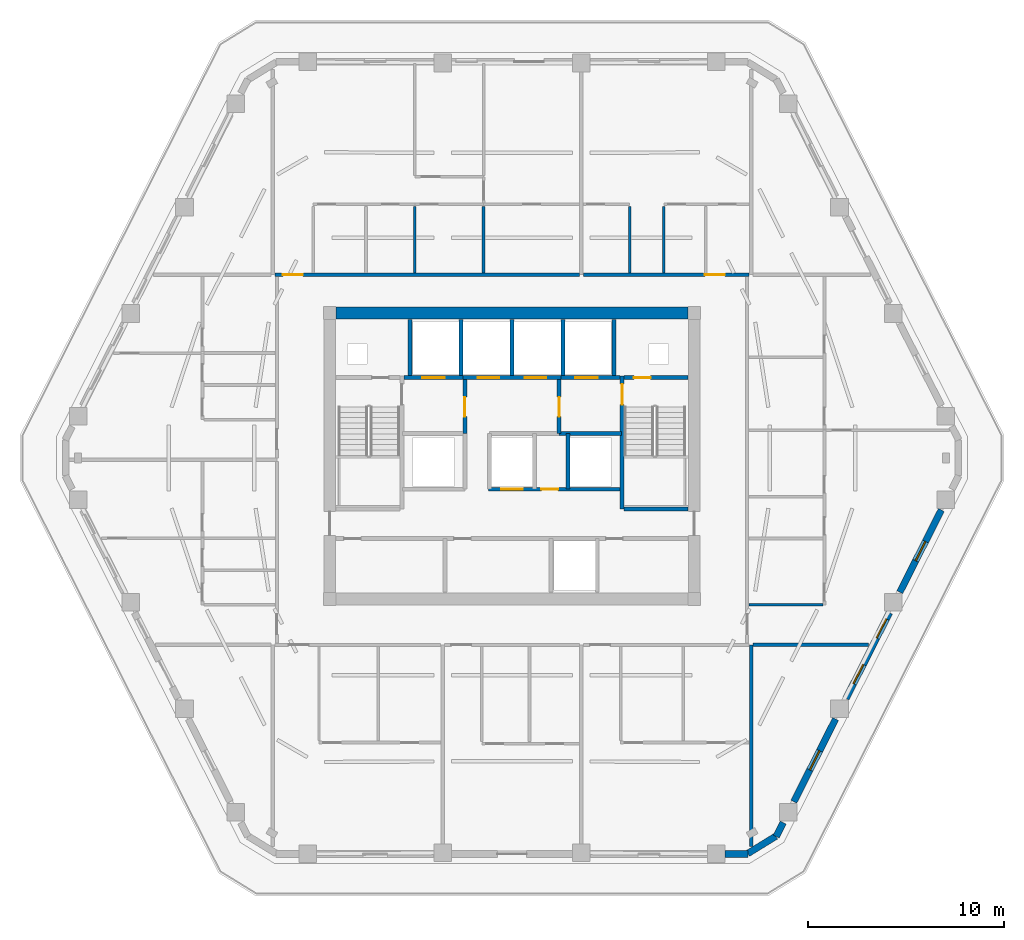
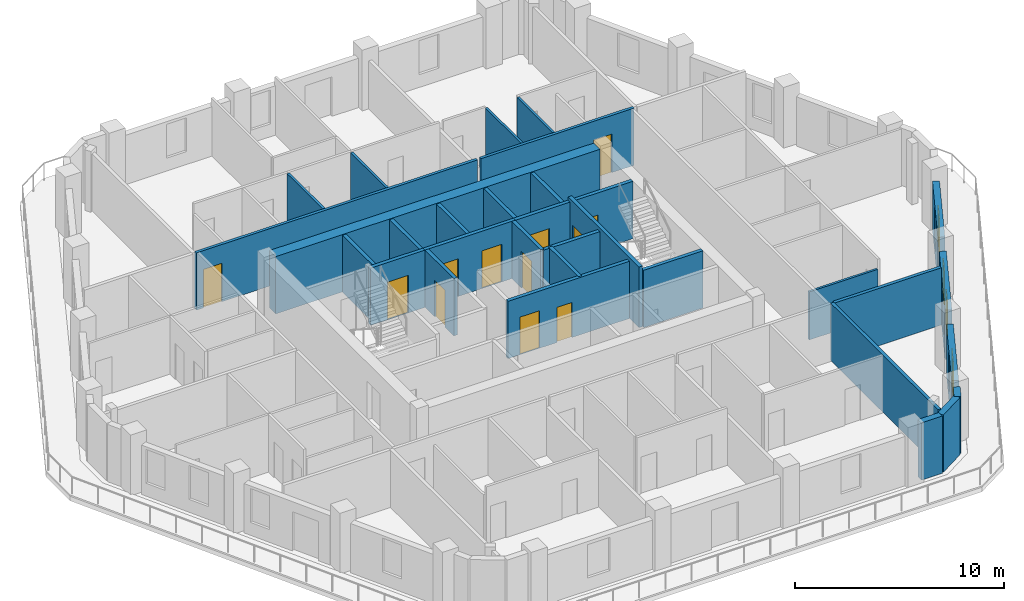
# One storey, part 5 of 10: 32 walls, 12 doors, 4 windows, 16 openings.
"""IFC4 building model written with IfcOpenShell, lengths in metres."""

from ifc_helpers import new_model, si_unit, direction, frame, frame_2d, origin, place, context, subcontext, project, spatial, rectangle, extrude, material, layer, layer_set, type_object, element, fill, save


model = new_model("IFC4")

# Units and contexts
model_context = context("Model", 3, precision=1e-05, world=origin(), true_north=direction((0.0, 1.0)))
body_context = subcontext(model_context, "Body", "Model", "MODEL_VIEW")
ifc_project = project(units=[si_unit("LENGTHUNIT", "METRE"), si_unit("AREAUNIT", "SQUARE_METRE"), si_unit("VOLUMEUNIT", "CUBIC_METRE"), si_unit("PLANEANGLEUNIT", "RADIAN"), si_unit("MASSUNIT", "GRAM", prefix="KILO")], contexts=[model_context])

# Site, building, storey
site_placement = place(None, origin())
site = spatial("IfcSite", under=ifc_project, at=site_placement, CompositionType="ELEMENT")
building_placement = place(site_placement, origin())
building = spatial("IfcBuilding", under=site, at=building_placement, Name="Cinnabar Lancet Tower", CompositionType="ELEMENT")
storey_placement = place(building_placement, frame((0.0, 0.0, 171.89990234375)))
storey = spatial("IfcBuildingStorey", under=building, at=storey_placement, Name="L45", CompositionType="ELEMENT", Elevation=171.89990234375)

# Wall, opening, door
ifc_material_1 = material(Name="Acoustic twin-stud gypsum partition", Category="gypsum")
ifc_layer_1 = layer(ifc_material_1, 0.159912109375)
ifc_layer_set_1 = layer_set([ifc_layer_1], Name="Acoustic twin-stud gypsum partition")
wall_type_1 = type_object("IfcWallType", Name="ARC-WL-CORR-160", PredefinedType="PARTITIONING", material=ifc_layer_set_1)
wall_1_placement = place(storey_placement, frame((20.294921875, 35.14990234375, 0.0), z_axis=(0.0, 0.0, 1.0), x_axis=(1.0, 0.0, 0.0)))
wall_1 = element("IfcWall", 1, at=wall_1_placement, inside=storey, type_object=wall_type_1, Name="L45 Unit N01 Corridor Wall", PredefinedType="PARTITIONING", context=body_context, shape_type="SweptSolid", body=[
    extrude(rectangle(XDim=15.552978515625, YDim=0.159912109375, at=frame_2d((7.7763671875, 0.0))), origin(), (0.0, 0.0, 1.0), 3.35009765625),
])
opening_1_placement = place(wall_1_placement, frame((0.405029296875, 0.0, 0.0)))
opening_1 = element("IfcOpeningElement", 2, at=opening_1_placement, cuts=wall_1, Name="Opening UD-01", PredefinedType="OPENING", context=body_context, shape_type="SweptSolid", body=[
    extrude(rectangle(XDim=1.02001953125, YDim=2.25, at=frame_2d((0.510009765625, 1.125))), frame((0.0, 0.08984375, 0.0), z_axis=(0.0, -1.0, 0.0), x_axis=(1.0, 0.0, 0.0)), (0.0, 0.0, 1.0), 0.179931640625),
])
ifc_material_2 = material(Name="Solid timber fire-rated apartment entrance door", Category="wood")
door_type_1 = type_object("IfcDoorType", Name="ARC-DR-UNIT", OperationType="NOTDEFINED", PredefinedType="DOOR", material=ifc_material_2)
door_1_placement = place(opening_1_placement, origin())
door_1 = element("IfcDoor", 3, at=door_1_placement, inside=storey, type_object=door_type_1, Name="DR-L45-N01-ENT", OperationType="SINGLE_SWING_RIGHT", OverallHeight=2.25, OverallWidth=1.02001953125, PredefinedType="DOOR", context=body_context, shape_type="SweptSolid", body=[
    extrude(rectangle(XDim=1.02001953125, YDim=2.25, at=frame_2d((0.510009765625, 1.125))), frame((0.0, 0.02490234375, 0.0), z_axis=(0.0, -1.0, 0.0), x_axis=(1.0, 0.0, 0.0)), (0.0, 0.0, 1.0), 0.050048828125),
])
fill(opening_1, door_1)

wall_2_placement = place(storey_placement, frame((36.0380859375, 35.14990234375, 0.0), z_axis=(0.0, 0.0, 1.0), x_axis=(1.0, 0.0, 0.0)))
wall_2 = element("IfcWall", 4, at=wall_2_placement, inside=storey, type_object=wall_type_1, Name="L45 Unit N02 Corridor Wall", PredefinedType="PARTITIONING", context=body_context, shape_type="SweptSolid", body=[
    extrude(rectangle(XDim=8.466796875, YDim=0.159912109375, at=frame_2d((4.2333984375, 0.0))), origin(), (0.0, 0.0, 1.0), 3.35009765625),
])
opening_2_placement = place(wall_2_placement, frame((6.2119140625, 0.0, 0.0)))
opening_2 = element("IfcOpeningElement", 5, at=opening_2_placement, cuts=wall_2, Name="Opening UD-01", PredefinedType="OPENING", context=body_context, shape_type="SweptSolid", body=[
    extrude(rectangle(XDim=1.02001953125, YDim=2.25, at=frame_2d((0.510009765625, 1.125))), frame((0.0, 0.08984375, 0.0), z_axis=(0.0, -1.0, 0.0), x_axis=(1.0, 0.0, 0.0)), (0.0, 0.0, 1.0), 0.179931640625),
])
door_2_placement = place(opening_2_placement, origin())
door_2 = element("IfcDoor", 6, at=door_2_placement, inside=storey, type_object=door_type_1, Name="DR-L45-N02-ENT", OperationType="SINGLE_SWING_LEFT", OverallHeight=2.25, OverallWidth=1.02001953125, PredefinedType="DOOR", context=body_context, shape_type="SweptSolid", body=[
    extrude(rectangle(XDim=1.02001953125, YDim=2.25, at=frame_2d((0.510009765625, 1.125))), frame((0.0, 0.02490234375, 0.0), z_axis=(0.0, -1.0, 0.0), x_axis=(1.0, 0.0, 0.0)), (0.0, 0.0, 1.0), 0.050048828125),
])
fill(opening_2, door_2)

# Walls
ifc_material_3 = material(Name="Fire-rated twin-frame acoustic drywall", Category="gypsum")
ifc_layer_2 = layer(ifc_material_3, 0.179931640625)
ifc_layer_set_2 = layer_set([ifc_layer_2], Name="Fire-rated twin-frame acoustic drywall")
wall_type_2 = type_object("IfcWallType", Name="ARC-WL-PARTY-180", PredefinedType="PARTITIONING", material=ifc_layer_set_2)
wall_3_placement = place(storey_placement, frame((44.60009765625, 5.968017578125, 0.0), z_axis=(0.0, 0.0, 1.0), x_axis=(0.0, 1.0, 0.0)))
element("IfcWall", 7, at=wall_3_placement, inside=storey, type_object=wall_type_2, Name="PW-L45-SPTY-446", PredefinedType="PARTITIONING", context=body_context, shape_type="SweptSolid", body=[
    extrude(rectangle(XDim=10.281982421875, YDim=0.179931640625, at=frame_2d((5.14111328125, 0.0))), origin(), (0.0, 0.0, 1.0), 3.35009765625),
])
wall_4_placement = place(storey_placement, frame((44.695068359375, 16.25, 0.0), z_axis=(0.0, 0.0, 1.0), x_axis=(1.0, 0.0, 0.0)))
element("IfcWall", 8, at=wall_4_placement, inside=storey, type_object=wall_type_2, Name="PW-L45-ESB", PredefinedType="PARTITIONING", context=body_context, shape_type="SweptSolid", body=[
    extrude(rectangle(XDim=5.89404296875, YDim=0.179931640625, at=frame_2d((2.947021484375, 0.0))), origin(), (0.0, 0.0, 1.0), 3.35009765625),
])
ifc_material_4 = material(Name="Autoclaved aerated concrete blockwork", Category="masonry")
ifc_layer_3 = layer(ifc_material_4, 0.199951171875)
ifc_layer_set_3 = layer_set([ifc_layer_3], Name="Autoclaved aerated concrete blockwork")
wall_type_3 = type_object("IfcWallType", Name="ARC-WL-SHAFT-200", PredefinedType="PLUMBINGWALL", material=ifc_layer_set_3)
wall_5_placement = place(storey_placement, frame((38.125, 23.199951171875, 0.0), z_axis=(0.0, 0.0, 1.0), x_axis=(1.0, 0.0, 0.0)))
element("IfcWall", 9, at=wall_5_placement, inside=storey, type_object=wall_type_3, Name="CW-ST2S-L45", PredefinedType="PLUMBINGWALL", context=body_context, shape_type="SweptSolid", body=[
    extrude(rectangle(XDim=3.27001953125, YDim=0.199951171875, at=frame_2d((1.635009765625, 0.0))), origin(), (0.0, 0.0, 1.0), 3.35009765625),
])

# Wall, opening, door
wall_6_placement = place(storey_placement, frame((26.885009765625, 29.89990234375, 0.0), z_axis=(0.0, 0.0, 1.0), x_axis=(1.0, 0.0, 0.0)))
wall_6 = element("IfcWall", 10, at=wall_6_placement, inside=storey, type_object=wall_type_3, Name="CW-FL1-L45", PredefinedType="PLUMBINGWALL", context=body_context, shape_type="SweptSolid", body=[
    extrude(rectangle(XDim=3.014892578125, YDim=0.199951171875, at=frame_2d((1.50732421875, 0.0))), origin(), (0.0, 0.0, 1.0), 3.35009765625),
])
opening_3_placement = place(wall_6_placement, frame((0.93994140625, 0.0, 0.0)))
opening_3 = element("IfcOpeningElement", 11, at=opening_3_placement, cuts=wall_6, Name="Opening LD-02", PredefinedType="OPENING", context=body_context, shape_type="SweptSolid", body=[
    extrude(rectangle(XDim=1.14990234375, YDim=2.199951171875, at=frame_2d((0.574951171875, 1.10009765625))), frame((0.0, 0.10986328125, 0.0), z_axis=(0.0, -1.0, 0.0), x_axis=(1.0, 0.0, 0.0)), (0.0, 0.0, 1.0), 0.219970703125),
])
ifc_material_5 = material(Name="Fire-rated stainless steel firefighting lift landing door", Category="steel")
door_type_2 = type_object("IfcDoorType", Name="ARC-DR-LD-FIRE", OperationType="NOTDEFINED", PredefinedType="DOOR", material=ifc_material_5)
door_3_placement = place(opening_3_placement, origin())
door_3 = element("IfcDoor", 12, at=door_3_placement, inside=storey, type_object=door_type_2, Name="L45 Firefighting Lift FL-1 Landing Door", OperationType="DOUBLE_DOOR_SLIDING", OverallHeight=2.199951171875, OverallWidth=1.14990234375, PredefinedType="DOOR", context=body_context, shape_type="SweptSolid", body=[
    extrude(rectangle(XDim=1.14990234375, YDim=2.199951171875, at=frame_2d((0.574951171875, 1.10009765625))), frame((0.0, 0.02490234375, 0.0), z_axis=(0.0, -1.0, 0.0), x_axis=(1.0, 0.0, 0.0)), (0.0, 0.0, 1.0), 0.050048828125),
])
fill(opening_3, door_3)

# Wall, openings, doors
wall_7_placement = place(storey_placement, frame((29.89990234375, 29.89990234375, 0.0), z_axis=(0.0, 0.0, 1.0), x_axis=(1.0, 0.0, 0.0)))
wall_7 = element("IfcWall", 13, at=wall_7_placement, inside=storey, type_object=wall_type_3, Name="CW-PL78-L45", PredefinedType="PLUMBINGWALL", context=body_context, shape_type="SweptSolid", body=[
    extrude(rectangle(XDim=5.0, YDim=0.199951171875, at=frame_2d((2.5, 0.0))), origin(), (0.0, 0.0, 1.0), 3.35009765625),
])
opening_4_placement = place(wall_7_placement, frame((0.75, 0.0, 0.0)))
opening_4 = element("IfcOpeningElement", 14, at=opening_4_placement, cuts=wall_7, Name="Opening LD-01", PredefinedType="OPENING", context=body_context, shape_type="SweptSolid", body=[
    extrude(rectangle(XDim=1.10009765625, YDim=2.199951171875, at=frame_2d((0.550048828125, 1.10009765625))), frame((0.0, 0.10986328125, 0.0), z_axis=(0.0, -1.0, 0.0), x_axis=(1.0, 0.0, 0.0)), (0.0, 0.0, 1.0), 0.219970703125),
])
opening_5_placement = place(wall_7_placement, frame((3.14990234375, 0.0, 0.0)))
opening_5 = element("IfcOpeningElement", 15, at=opening_5_placement, cuts=wall_7, Name="Opening LD-01", PredefinedType="OPENING", context=body_context, shape_type="SweptSolid", body=[
    extrude(rectangle(XDim=1.10009765625, YDim=2.199951171875, at=frame_2d((0.550048828125, 1.10009765625))), frame((0.0, 0.10986328125, 0.0), z_axis=(0.0, -1.0, 0.0), x_axis=(1.0, 0.0, 0.0)), (0.0, 0.0, 1.0), 0.219970703125),
])
ifc_material_6 = material(Name="Brushed stainless steel sliding lift door", Category="steel")
door_type_3 = type_object("IfcDoorType", Name="ARC-DR-LD-PASS", OperationType="NOTDEFINED", PredefinedType="DOOR", material=ifc_material_6)
door_4_placement = place(opening_4_placement, origin())
door_4 = element("IfcDoor", 16, at=door_4_placement, inside=storey, type_object=door_type_3, Name="L45 Lift PL-7 Landing Door", OperationType="DOUBLE_DOOR_SLIDING", OverallHeight=2.199951171875, OverallWidth=1.10009765625, PredefinedType="DOOR", context=body_context, shape_type="SweptSolid", body=[
    extrude(rectangle(XDim=1.10009765625, YDim=2.199951171875, at=frame_2d((0.550048828125, 1.10009765625))), frame((0.0, 0.02490234375, 0.0), z_axis=(0.0, -1.0, 0.0), x_axis=(1.0, 0.0, 0.0)), (0.0, 0.0, 1.0), 0.050048828125),
])
fill(opening_4, door_4)
door_5_placement = place(opening_5_placement, origin())
door_5 = element("IfcDoor", 17, at=door_5_placement, inside=storey, type_object=door_type_3, Name="L45 Lift PL-8 Landing Door", OperationType="DOUBLE_DOOR_SLIDING", OverallHeight=2.199951171875, OverallWidth=1.10009765625, PredefinedType="DOOR", context=body_context, shape_type="SweptSolid", body=[
    extrude(rectangle(XDim=1.10009765625, YDim=2.199951171875, at=frame_2d((0.550048828125, 1.10009765625))), frame((0.0, 0.02490234375, 0.0), z_axis=(0.0, -1.0, 0.0), x_axis=(1.0, 0.0, 0.0)), (0.0, 0.0, 1.0), 0.050048828125),
])
fill(opening_5, door_5)

# Wall, opening, door
wall_8_placement = place(storey_placement, frame((34.89990234375, 29.89990234375, 0.0), z_axis=(0.0, 0.0, 1.0), x_axis=(1.0, 0.0, 0.0)))
wall_8 = element("IfcWall", 18, at=wall_8_placement, inside=storey, type_object=wall_type_3, Name="CW-FL2-L45", PredefinedType="PLUMBINGWALL", context=body_context, shape_type="SweptSolid", body=[
    extrude(rectangle(XDim=3.01513671875, YDim=0.199951171875, at=frame_2d((1.507568359375, 0.0))), origin(), (0.0, 0.0, 1.0), 3.35009765625),
])
opening_6_placement = place(wall_8_placement, frame((0.72509765625, 0.0, 0.0)))
opening_6 = element("IfcOpeningElement", 19, at=opening_6_placement, cuts=wall_8, Name="Opening LD-02", PredefinedType="OPENING", context=body_context, shape_type="SweptSolid", body=[
    extrude(rectangle(XDim=1.14990234375, YDim=2.199951171875, at=frame_2d((0.574951171875, 1.10009765625))), frame((0.0, 0.10986328125, 0.0), z_axis=(0.0, -1.0, 0.0), x_axis=(1.0, 0.0, 0.0)), (0.0, 0.0, 1.0), 0.219970703125),
])
door_6_placement = place(opening_6_placement, origin())
door_6 = element("IfcDoor", 20, at=door_6_placement, inside=storey, type_object=door_type_2, Name="L45 Firefighting Lift FL-2 Landing Door", OperationType="DOUBLE_DOOR_SLIDING", OverallHeight=2.199951171875, OverallWidth=1.14990234375, PredefinedType="DOOR", context=body_context, shape_type="SweptSolid", body=[
    extrude(rectangle(XDim=1.14990234375, YDim=2.199951171875, at=frame_2d((0.574951171875, 1.10009765625))), frame((0.0, 0.02490234375, 0.0), z_axis=(0.0, -1.0, 0.0), x_axis=(1.0, 0.0, 0.0)), (0.0, 0.0, 1.0), 0.050048828125),
])
fill(opening_6, door_6)

wall_9_placement = place(storey_placement, frame((38.125, 29.89990234375, 0.0), z_axis=(0.0, 0.0, 1.0), x_axis=(1.0, 0.0, 0.0)))
wall_9 = element("IfcWall", 21, at=wall_9_placement, inside=storey, type_object=wall_type_3, Name="CW-NSH-E-L45", PredefinedType="PLUMBINGWALL", context=body_context, shape_type="SweptSolid", body=[
    extrude(rectangle(XDim=3.27001953125, YDim=0.199951171875, at=frame_2d((1.635009765625, 0.0))), origin(), (0.0, 0.0, 1.0), 3.35009765625),
])
opening_7_placement = place(wall_9_placement, frame((0.5, 0.0, 0.0)))
opening_7 = element("IfcOpeningElement", 22, at=opening_7_placement, cuts=wall_9, Name="Opening PD-02", PredefinedType="OPENING", context=body_context, shape_type="SweptSolid", body=[
    extrude(rectangle(XDim=0.85009765625, YDim=2.050048828125, at=frame_2d((0.425048828125, 1.02490234375))), frame((0.0, 0.10986328125, 0.0), z_axis=(0.0, -1.0, 0.0), x_axis=(1.0, 0.0, 0.0)), (0.0, 0.0, 1.0), 0.219970703125),
])
ifc_material_7 = material(Name="Fire-rated steel riser access door", Category="steel")
door_type_4 = type_object("IfcDoorType", Name="ARC-DR-RISER", OperationType="NOTDEFINED", PredefinedType="DOOR", material=ifc_material_7)
door_7_placement = place(opening_7_placement, origin())
door_7 = element("IfcDoor", 23, at=door_7_placement, inside=storey, type_object=door_type_4, Name="L45 East Riser Access Door", OperationType="SINGLE_SWING_RIGHT", OverallHeight=2.050048828125, OverallWidth=0.85009765625, PredefinedType="DOOR", context=body_context, shape_type="SweptSolid", body=[
    extrude(rectangle(XDim=0.85009765625, YDim=2.050048828125, at=frame_2d((0.425048828125, 1.02490234375))), frame((0.0, 0.02490234375, 0.0), z_axis=(0.0, -1.0, 0.0), x_axis=(1.0, 0.0, 0.0)), (0.0, 0.0, 1.0), 0.050048828125),
])
fill(opening_7, door_7)

# Walls
for number, where, z_axis, x_axis, name in (
    (24, (27.199951171875, 30.0, 0.0), (0.0, 0.0, 1.0), (0.0, 1.0, 0.0), "CW-NSH-D1-L45"),
    (25, (29.800048828125, 30.0, 0.0), (0.0, 0.0, 1.0), (0.0, 1.0, 0.0), "CW-NSH-D2-L45"),
    (26, (32.39990234375, 30.0, 0.0), (0.0, 0.0, 1.0), (0.0, 1.0, 0.0), "CW-NSH-D3-L45"),
    (27, (35.0, 30.0, 0.0), (0.0, 0.0, 1.0), (0.0, 1.0, 0.0), "CW-NSH-D4-L45"),
    (28, (37.60009765625, 30.0, 0.0), (0.0, 0.0, 1.0), (0.0, 1.0, 0.0), "CW-NSH-D5-L45"),
):
    element("IfcWall", number, at=place(storey_placement, frame(where, z_axis=z_axis, x_axis=x_axis)), inside=storey, type_object=wall_type_3, Name=name, PredefinedType="PLUMBINGWALL", context=body_context, shape_type="SweptSolid", body=[
        extrude(rectangle(XDim=2.85009765625, YDim=0.199951171875, at=frame_2d((1.425048828125, 0.0))), origin(), (0.0, 0.0, 1.0), 3.35009765625),
    ])

# Wall, opening, door
wall_10_placement = place(storey_placement, frame((30.0, 27.050048828125, 0.0), z_axis=(0.0, 0.0, 1.0), x_axis=(0.0, 1.0, 0.0)))
wall_10 = element("IfcWall", 29, at=wall_10_placement, inside=storey, type_object=wall_type_3, Name="CW-FF1E-L45", PredefinedType="PLUMBINGWALL", context=body_context, shape_type="SweptSolid", body=[
    extrude(rectangle(XDim=2.75, YDim=0.199951171875, at=frame_2d((1.375, 0.0))), origin(), (0.0, 0.0, 1.0), 3.35009765625),
])
opening_8_placement = place(wall_10_placement, frame((0.85009765625, 0.0, 0.0)))
opening_8 = element("IfcOpeningElement", 30, at=opening_8_placement, cuts=wall_10, Name="Opening FD-01", PredefinedType="OPENING", context=body_context, shape_type="SweptSolid", body=[
    extrude(rectangle(XDim=1.0, YDim=2.14990234375, at=frame_2d((0.5, 1.074951171875))), frame((0.0, 0.10986328125, 0.0), z_axis=(0.0, -1.0, 0.0), x_axis=(1.0, 0.0, 0.0)), (0.0, 0.0, 1.0), 0.219970703125),
])
ifc_material_8 = material(Name="Fire-rated timber-core lobby door", Category="wood")
door_type_5 = type_object("IfcDoorType", Name="ARC-DR-FFAL", OperationType="NOTDEFINED", PredefinedType="DOOR", material=ifc_material_8)
door_8_placement = place(opening_8_placement, origin())
door_8 = element("IfcDoor", 31, at=door_8_placement, inside=storey, type_object=door_type_5, Name="L45 FFAL-1 Lobby Fire Door", OperationType="SINGLE_SWING_RIGHT", OverallHeight=2.14990234375, OverallWidth=1.0, PredefinedType="DOOR", context=body_context, shape_type="SweptSolid", body=[
    extrude(rectangle(XDim=1.0, YDim=2.14990234375, at=frame_2d((0.5, 1.074951171875))), frame((0.0, 0.02490234375, 0.0), z_axis=(0.0, -1.0, 0.0), x_axis=(1.0, 0.0, 0.0)), (0.0, 0.0, 1.0), 0.050048828125),
])
fill(opening_8, door_8)

wall_11_placement = place(storey_placement, frame((34.800048828125, 27.050048828125, 0.0), z_axis=(0.0, 0.0, 1.0), x_axis=(0.0, 1.0, 0.0)))
wall_11 = element("IfcWall", 32, at=wall_11_placement, inside=storey, type_object=wall_type_3, Name="CW-FF2W-L45", PredefinedType="PLUMBINGWALL", context=body_context, shape_type="SweptSolid", body=[
    extrude(rectangle(XDim=2.75, YDim=0.199951171875, at=frame_2d((1.375, 0.0))), origin(), (0.0, 0.0, 1.0), 3.35009765625),
])
opening_9_placement = place(wall_11_placement, frame((0.85009765625, 0.0, 0.0)))
opening_9 = element("IfcOpeningElement", 33, at=opening_9_placement, cuts=wall_11, Name="Opening FD-01", PredefinedType="OPENING", context=body_context, shape_type="SweptSolid", body=[
    extrude(rectangle(XDim=1.0, YDim=2.14990234375, at=frame_2d((0.5, 1.074951171875))), frame((0.0, 0.10986328125, 0.0), z_axis=(0.0, -1.0, 0.0), x_axis=(1.0, 0.0, 0.0)), (0.0, 0.0, 1.0), 0.219970703125),
])
door_9_placement = place(opening_9_placement, origin())
door_9 = element("IfcDoor", 34, at=door_9_placement, inside=storey, type_object=door_type_5, Name="L45 FFAL-2 Lobby Fire Door", OperationType="SINGLE_SWING_LEFT", OverallHeight=2.14990234375, OverallWidth=1.0, PredefinedType="DOOR", context=body_context, shape_type="SweptSolid", body=[
    extrude(rectangle(XDim=1.0, YDim=2.14990234375, at=frame_2d((0.5, 1.074951171875))), frame((0.0, 0.02490234375, 0.0), z_axis=(0.0, -1.0, 0.0), x_axis=(1.0, 0.0, 0.0)), (0.0, 0.0, 1.0), 0.050048828125),
])
fill(opening_9, door_9)

# Wall
wall_12_placement = place(storey_placement, frame((34.800048828125, 27.050048828125, 0.0), z_axis=(0.0, 0.0, 1.0), x_axis=(1.0, 0.0, 0.0)))
element("IfcWall", 35, at=wall_12_placement, inside=storey, type_object=wall_type_3, Name="CW-FF2S-L45", PredefinedType="PLUMBINGWALL", context=body_context, shape_type="SweptSolid", body=[
    extrude(rectangle(XDim=3.199951171875, YDim=0.199951171875, at=frame_2d((1.60009765625, 0.0))), origin(), (0.0, 0.0, 1.0), 3.35009765625),
])

# Wall, openings, doors
wall_13_placement = place(storey_placement, frame((31.199951171875, 24.199951171875, 0.0), z_axis=(0.0, 0.0, 1.0), x_axis=(1.0, 0.0, 0.0)))
wall_13 = element("IfcWall", 36, at=wall_13_placement, inside=storey, type_object=wall_type_3, Name="CW-PL96S-L45", PredefinedType="PLUMBINGWALL", context=body_context, shape_type="SweptSolid", body=[
    extrude(rectangle(XDim=6.800048828125, YDim=0.199951171875, at=frame_2d((3.39990234375, 0.0))), origin(), (0.0, 0.0, 1.0), 3.35009765625),
])
opening_10_placement = place(wall_13_placement, frame((0.64990234375, 0.0, 0.0)))
opening_10 = element("IfcOpeningElement", 37, at=opening_10_placement, cuts=wall_13, Name="Opening LD-01", PredefinedType="OPENING", context=body_context, shape_type="SweptSolid", body=[
    extrude(rectangle(XDim=1.10009765625, YDim=2.199951171875, at=frame_2d((0.550048828125, 1.10009765625))), frame((0.0, 0.10986328125, 0.0), z_axis=(0.0, -1.0, 0.0), x_axis=(1.0, 0.0, 0.0)), (0.0, 0.0, 1.0), 0.219970703125),
])
opening_11_placement = place(wall_13_placement, frame((2.699951171875, 0.0, 0.0)))
opening_11 = element("IfcOpeningElement", 38, at=opening_11_placement, cuts=wall_13, Name="Opening PD-02", PredefinedType="OPENING", context=body_context, shape_type="SweptSolid", body=[
    extrude(rectangle(XDim=0.85009765625, YDim=2.050048828125, at=frame_2d((0.425048828125, 1.02490234375))), frame((0.0, 0.10986328125, 0.0), z_axis=(0.0, -1.0, 0.0), x_axis=(1.0, 0.0, 0.0)), (0.0, 0.0, 1.0), 0.219970703125),
])
door_10_placement = place(opening_10_placement, origin())
door_10 = element("IfcDoor", 39, at=door_10_placement, inside=storey, type_object=door_type_3, Name="L45 Lift PL-9 Landing Door", OperationType="DOUBLE_DOOR_SLIDING", OverallHeight=2.199951171875, OverallWidth=1.10009765625, PredefinedType="DOOR", context=body_context, shape_type="SweptSolid", body=[
    extrude(rectangle(XDim=1.10009765625, YDim=2.199951171875, at=frame_2d((0.550048828125, 1.10009765625))), frame((0.0, 0.02490234375, 0.0), z_axis=(0.0, -1.0, 0.0), x_axis=(1.0, 0.0, 0.0)), (0.0, 0.0, 1.0), 0.050048828125),
])
fill(opening_10, door_10)
door_11_placement = place(opening_11_placement, origin())
door_11 = element("IfcDoor", 40, at=door_11_placement, inside=storey, type_object=door_type_4, Name="L45 BMS Closet Door", OperationType="SINGLE_SWING_LEFT", OverallHeight=2.050048828125, OverallWidth=0.85009765625, PredefinedType="DOOR", context=body_context, shape_type="SweptSolid", body=[
    extrude(rectangle(XDim=0.85009765625, YDim=2.050048828125, at=frame_2d((0.425048828125, 1.02490234375))), frame((0.0, 0.02490234375, 0.0), z_axis=(0.0, -1.0, 0.0), x_axis=(1.0, 0.0, 0.0)), (0.0, 0.0, 1.0), 0.050048828125),
])
fill(opening_11, door_11)

# Walls
wall_14_placement = place(storey_placement, frame((35.25, 24.199951171875, 0.0), z_axis=(0.0, 0.0, 1.0), x_axis=(0.0, 1.0, 0.0)))
element("IfcWall", 41, at=wall_14_placement, inside=storey, type_object=wall_type_3, Name="CW-PL6W-L45", PredefinedType="PLUMBINGWALL", context=body_context, shape_type="SweptSolid", body=[
    extrude(rectangle(XDim=2.85009765625, YDim=0.199951171875, at=frame_2d((1.425048828125, 0.0))), origin(), (0.0, 0.0, 1.0), 3.35009765625),
])
ifc_material_9 = material(Name="Gypsum plasterboard stud partition", Category="gypsum")
ifc_layer_4 = layer(ifc_material_9, 0.125)
ifc_layer_set_4 = layer_set([ifc_layer_4], Name="Gypsum plasterboard stud partition")
wall_type_4 = type_object("IfcWallType", Name="ARC-WL-UNIT-125", PredefinedType="PARTITIONING", material=ifc_layer_set_4)
for number, where, z_axis, x_axis, name in (
    (42, (40.14990234375, 35.235107421875, 0.0), (0.0, 0.0, 1.0), (0.0, 1.0, 0.0), "UW-L45-N02-FOYE"),
    (43, (38.39990234375, 35.235107421875, 0.0), (0.0, 0.0, 1.0), (0.0, 1.0, 0.0), "UW-L45-N02-FOYW"),
):
    element("IfcWall", number, at=place(storey_placement, frame(where, z_axis=z_axis, x_axis=x_axis)), inside=storey, type_object=wall_type_4, Name=name, PredefinedType="PARTITIONING", context=body_context, shape_type="SweptSolid", body=[
        extrude(rectangle(XDim=3.40478515625, YDim=0.125, at=frame_2d((1.702392578125, 0.0))), origin(), (0.0, 0.0, 1.0), 3.35009765625),
    ])
wall_15_placement = place(storey_placement, frame((44.485107421875, 18.300048828125, 0.0), z_axis=(0.0, 0.0, 1.0), x_axis=(1.0, 0.0, 0.0)))
element("IfcWall", 44, at=wall_15_placement, inside=storey, type_object=wall_type_4, Name="UW-L45-E01-FOYN", PredefinedType="PARTITIONING", context=body_context, shape_type="SweptSolid", body=[
    extrude(rectangle(XDim=3.77978515625, YDim=0.125, at=frame_2d((1.889892578125, 0.0))), origin(), (0.0, 0.0, 1.0), 2.80712890625),
])
ifc_material_10 = material(Name="Moisture-resistant cement-board plumbing wall", Category="masonry")
ifc_layer_5 = layer(ifc_material_10, 0.139892578125)
ifc_layer_set_5 = layer_set([ifc_layer_5], Name="Moisture-resistant cement-board plumbing wall")
wall_type_5 = type_object("IfcWallType", Name="ARC-WL-WET-140", PredefinedType="PLUMBINGWALL", material=ifc_layer_set_5)
for number, where, z_axis, x_axis, name in (
    (45, (27.44189453125, 35.235107421875, 0.0), (0.0, 0.0, 1.0), (0.0, 1.0, 0.0), "UW-L45-N01-ENSW"),
    (46, (30.949951171875, 35.235107421875, 0.0), (0.0, 0.0, 1.0), (0.0, 1.0, 0.0), "UW-L45-N01-ENSE"),
):
    element("IfcWall", number, at=place(storey_placement, frame(where, z_axis=z_axis, x_axis=x_axis)), inside=storey, type_object=wall_type_5, Name=name, PredefinedType="PLUMBINGWALL", context=body_context, shape_type="SweptSolid", body=[
        extrude(rectangle(XDim=3.40478515625, YDim=0.139892578125, at=frame_2d((1.702392578125, 0.0))), origin(), (0.0, 0.0, 1.0), 3.35009765625),
    ])
ifc_material_11 = material(Name="Cinnabar red clay brick", Category="masonry")
ifc_layer_6 = layer(ifc_material_11, 0.340087890625)
ifc_layer_set_6 = layer_set([ifc_layer_6], Name="Cinnabar red clay brick")
wall_type_6 = type_object("IfcWallType", Name="ENV-WL-BRK-RED-340", PredefinedType="STANDARD", material=ifc_layer_set_6)
wall_16_placement = place(storey_placement, frame((44.43310546875, 5.60498046875, 0.0), z_axis=(0.0, 0.0, 1.0), x_axis=(0.851778214877, 0.523902541185, 0.0)))
element("IfcWall", 47, at=wall_16_placement, inside=storey, type_object=wall_type_6, Name="L45 Chamfered Corner Brick Pier 2.1", PredefinedType="STANDARD", context=body_context, shape_type="SweptSolid", body=[
    extrude(rectangle(XDim=1.677734375, YDim=0.340087890625, at=frame_2d((0.8388671875, 0.0))), origin(), (0.0, 0.0, 1.0), 3.35009765625),
])
wall_17_placement = place(storey_placement, frame((43.27490234375, 5.580078125, 0.0), z_axis=(0.0, 0.0, 1.0), x_axis=(1.0, 0.0, 0.0)))
element("IfcWall", 48, at=wall_17_placement, inside=storey, type_object=wall_type_6, Name="L45 Face 1 Masonry Bay Wall 5", PredefinedType="STANDARD", context=body_context, shape_type="SweptSolid", body=[
    extrude(rectangle(XDim=1.1630859375, YDim=0.340087890625, at=frame_2d((0.58154296875, 0.0))), origin(), (0.0, 0.0, 1.0), 3.35009765625),
])
wall_18_placement = place(storey_placement, frame((45.882080078125, 6.468017578125, 0.0), z_axis=(0.0, 0.0, 1.0), x_axis=(0.451691568309, 0.892174157392, 0.0)))
element("IfcWall", 49, at=wall_18_placement, inside=storey, type_object=wall_type_6, Name="L45 Face 2 Masonry Bay Wall 1", PredefinedType="STANDARD", context=body_context, shape_type="SweptSolid", body=[
    extrude(rectangle(XDim=0.805908203125, YDim=0.340087890625, at=frame_2d((0.40283203125, 0.0))), origin(), (0.0, 0.0, 1.0), 3.35009765625),
])

# Wall, opening, window
wall_19_placement = place(storey_placement, frame((46.782958984375, 8.2490234375, 0.0), z_axis=(0.0, 0.0, 1.0), x_axis=(0.451522864045, 0.892259549259, 0.0)))
wall_19 = element("IfcWall", 50, at=wall_19_placement, inside=storey, type_object=wall_type_6, Name="L45 Face 2 Masonry Bay Wall 2", PredefinedType="STANDARD", context=body_context, shape_type="SweptSolid", body=[
    extrude(rectangle(XDim=4.730712890625, YDim=0.340087890625, at=frame_2d((2.365234375, 0.0))), origin(), (0.0, 0.0, 1.0), 2.883056640625),
])
opening_12_placement = place(wall_19_placement, frame((1.81494140625, 0.0, 0.75)))
opening_12 = element("IfcOpeningElement", 51, at=opening_12_placement, cuts=wall_19, Name="Opening WN-04", PredefinedType="OPENING", context=body_context, shape_type="SweptSolid", body=[
    extrude(rectangle(XDim=1.10009765625, YDim=1.98291015625, at=frame_2d((0.550048828125, 0.991455078125))), frame((0.0, 0.179931640625, 0.0), z_axis=(0.0, -1.0, 0.0), x_axis=(1.0, 0.0, 0.0)), (0.0, 0.0, 1.0), 0.360107421875),
])
ifc_material_12 = material(Name="Thermally broken bronze-anodized aluminium tall lancet window", Category="aluminium")
window_type = type_object("IfcWindowType", Name="ENV-WN-LANCET-1100", PartitioningType="SINGLE_PANEL", PredefinedType="WINDOW", material=ifc_material_12)
window_1_placement = place(opening_12_placement, origin())
window_1 = element("IfcWindow", 52, at=window_1_placement, inside=storey, type_object=window_type, Name="L45 Face 2 Gothic Lancet Window 2", OverallHeight=1.98291015625, OverallWidth=1.10009765625, PartitioningType="SINGLE_PANEL", PredefinedType="WINDOW", context=body_context, shape_type="SweptSolid", body=[
    extrude(rectangle(XDim=1.10009765625, YDim=1.98291015625, at=frame_2d((0.550048828125, 0.991455078125))), frame((0.0, 0.030029296875, 0.0), z_axis=(0.0, -1.0, 0.0), x_axis=(1.0, 0.0, 0.0)), (0.0, 0.0, 1.0), 0.06005859375),
])
fill(opening_12, window_1)

# Wall, openings, windows
wall_20_placement = place(storey_placement, frame((49.447998046875, 13.51708984375, 0.0), z_axis=(0.0, 0.0, 1.0), x_axis=(0.451544279509, 0.892248711763, 0.0)))
wall_20 = element("IfcWall", 53, at=wall_20_placement, inside=storey, type_object=wall_type_6, Name="L45 Face 2 Masonry Bay Wall 3", PredefinedType="STANDARD", context=body_context, shape_type="SweptSolid", body=[
    extrude(rectangle(XDim=4.909912109375, YDim=0.340087890625, at=frame_2d((2.455078125, 0.0))), origin(), (0.0, 0.0, 1.0), 2.883056640625),
])
opening_13_placement = place(wall_20_placement, frame((0.85107421875, 0.0, 0.75)))
opening_13 = element("IfcOpeningElement", 54, at=opening_13_placement, cuts=wall_20, Name="Opening WN-04", PredefinedType="OPENING", context=body_context, shape_type="SweptSolid", body=[
    extrude(rectangle(XDim=1.10009765625, YDim=1.98291015625, at=frame_2d((0.550048828125, 0.991455078125))), frame((0.0, 0.179931640625, 0.0), z_axis=(0.0, -1.0, 0.0), x_axis=(1.0, 0.0, 0.0)), (0.0, 0.0, 1.0), 0.360107421875),
])
opening_14_placement = place(wall_20_placement, frame((3.45703125, 0.0, 0.75)))
opening_14 = element("IfcOpeningElement", 55, at=opening_14_placement, cuts=wall_20, Name="Opening WN-04", PredefinedType="OPENING", context=body_context, shape_type="SweptSolid", body=[
    extrude(rectangle(XDim=1.10009765625, YDim=1.98291015625, at=frame_2d((0.550048828125, 0.991455078125))), frame((0.0, 0.179931640625, 0.0), z_axis=(0.0, -1.0, 0.0), x_axis=(1.0, 0.0, 0.0)), (0.0, 0.0, 1.0), 0.360107421875),
])
window_2_placement = place(opening_13_placement, origin())
window_2 = element("IfcWindow", 56, at=window_2_placement, inside=storey, type_object=window_type, Name="L45 Face 2 Gothic Lancet Window 3", OverallHeight=1.98291015625, OverallWidth=1.10009765625, PartitioningType="SINGLE_PANEL", PredefinedType="WINDOW", context=body_context, shape_type="SweptSolid", body=[
    extrude(rectangle(XDim=1.10009765625, YDim=1.98291015625, at=frame_2d((0.550048828125, 0.991455078125))), frame((0.0, 0.030029296875, 0.0), z_axis=(0.0, -1.0, 0.0), x_axis=(1.0, 0.0, 0.0)), (0.0, 0.0, 1.0), 0.06005859375),
])
fill(opening_13, window_2)
window_3_placement = place(opening_14_placement, origin())
window_3 = element("IfcWindow", 57, at=window_3_placement, inside=storey, type_object=window_type, Name="L45 Split-Bay Gothic Lancet Window 128", OverallHeight=1.98291015625, OverallWidth=1.10009765625, PartitioningType="SINGLE_PANEL", PredefinedType="WINDOW", context=body_context, shape_type="SweptSolid", body=[
    extrude(rectangle(XDim=1.10009765625, YDim=1.98291015625, at=frame_2d((0.550048828125, 0.991455078125))), frame((0.0, 0.030029296875, 0.0), z_axis=(0.0, -1.0, 0.0), x_axis=(1.0, 0.0, 0.0)), (0.0, 0.0, 1.0), 0.06005859375),
])
fill(opening_14, window_3)

# Wall, opening, window
wall_21_placement = place(storey_placement, frame((52.193115234375, 18.943115234375, 0.0), z_axis=(0.0, 0.0, 1.0), x_axis=(0.451447222193, 0.892297823361, 0.0)))
wall_21 = element("IfcWall", 58, at=wall_21_placement, inside=storey, type_object=wall_type_6, Name="L45 Face 2 Masonry Bay Wall 4", PredefinedType="STANDARD", context=body_context, shape_type="SweptSolid", body=[
    extrude(rectangle(XDim=4.699951171875, YDim=0.340087890625, at=frame_2d((2.35009765625, 0.0))), origin(), (0.0, 0.0, 1.0), 2.883056640625),
])
opening_15_placement = place(wall_21_placement, frame((1.800048828125, 0.0, 0.75)))
opening_15 = element("IfcOpeningElement", 59, at=opening_15_placement, cuts=wall_21, Name="Opening WN-04", PredefinedType="OPENING", context=body_context, shape_type="SweptSolid", body=[
    extrude(rectangle(XDim=1.10009765625, YDim=1.98291015625, at=frame_2d((0.550048828125, 0.991455078125))), frame((0.0, 0.179931640625, 0.0), z_axis=(0.0, -1.0, 0.0), x_axis=(1.0, 0.0, 0.0)), (0.0, 0.0, 1.0), 0.360107421875),
])
window_4_placement = place(opening_15_placement, origin())
window_4 = element("IfcWindow", 60, at=window_4_placement, inside=storey, type_object=window_type, Name="L45 Face 2 Gothic Lancet Window 4", OverallHeight=1.98291015625, OverallWidth=1.10009765625, PartitioningType="SINGLE_PANEL", PredefinedType="WINDOW", context=body_context, shape_type="SweptSolid", body=[
    extrude(rectangle(XDim=1.10009765625, YDim=1.98291015625, at=frame_2d((0.550048828125, 0.991455078125))), frame((0.0, 0.030029296875, 0.0), z_axis=(0.0, -1.0, 0.0), x_axis=(1.0, 0.0, 0.0)), (0.0, 0.0, 1.0), 0.06005859375),
])
fill(opening_15, window_4)

# Wall
ifc_material_13 = material(Name="Concrete C60/75", Category="concrete")
ifc_layer_7 = layer(ifc_material_13, 0.60009765625)
ifc_layer_set_7 = layer_set([ifc_layer_7], Name="Concrete C60/75")
wall_type_7 = type_object("IfcWallType", Name="STR-WL-CORE-600", PredefinedType="SHEAR", material=ifc_layer_set_7)
wall_22_placement = place(storey_placement, frame((23.425048828125, 33.199951171875, 0.0), z_axis=(0.0, 0.0, 1.0), x_axis=(1.0, 0.0, 0.0)))
element("IfcWall", 61, at=wall_22_placement, inside=storey, type_object=wall_type_7, Name="L45 Core Shear Wall N", PredefinedType="SHEAR", context=body_context, shape_type="SweptSolid", body=[
    extrude(rectangle(XDim=17.949951171875, YDim=0.60009765625, at=frame_2d((8.97509765625, 0.0))), origin(), (0.0, 0.0, 1.0), 3.35009765625),
])

# Wall, opening, door
ifc_material_14 = material(Name="Concrete C50/60", Category="concrete")
ifc_layer_8 = layer(ifc_material_14, 0.199951171875)
ifc_layer_set_8 = layer_set([ifc_layer_8], Name="Concrete C50/60")
wall_type_8 = type_object("IfcWallType", Name="STR-WL-STAIR-200", PredefinedType="SHEAR", material=ifc_layer_set_8)
wall_23_placement = place(storey_placement, frame((38.02001953125, 23.199951171875, 0.0), z_axis=(0.0, 0.0, 1.0), x_axis=(0.0, 1.0, 0.0)))
wall_23 = element("IfcWall", 62, at=wall_23_placement, inside=storey, type_object=wall_type_8, Name="L45 Stair ST-2 Structural Enclosure Wall", PredefinedType="SHEAR", context=body_context, shape_type="SweptSolid", body=[
    extrude(rectangle(XDim=6.780029296875, YDim=0.199951171875, at=frame_2d((3.39013671875, 0.0))), origin(), (0.0, 0.0, 1.0), 3.550048828125),
])
opening_16_placement = place(wall_23_placement, frame((5.320068359375, 0.0, 0.0)))
opening_16 = element("IfcOpeningElement", 63, at=opening_16_placement, cuts=wall_23, Name="Opening SD-01", PredefinedType="OPENING", context=body_context, shape_type="SweptSolid", body=[
    extrude(rectangle(XDim=1.050048828125, YDim=2.14990234375, at=frame_2d((0.52490234375, 1.074951171875))), frame((0.0, 0.10986328125, 0.0), z_axis=(0.0, -1.0, 0.0), x_axis=(1.0, 0.0, 0.0)), (0.0, 0.0, 1.0), 0.219970703125),
])
ifc_material_15 = material(Name="Fire-rated steel stair exit door", Category="steel")
door_type_6 = type_object("IfcDoorType", Name="ARC-DR-STAIR", OperationType="NOTDEFINED", PredefinedType="DOOR", material=ifc_material_15)
door_12_placement = place(opening_16_placement, origin())
door_12 = element("IfcDoor", 64, at=door_12_placement, inside=storey, type_object=door_type_6, Name="L45 Stair ST-2 Fire Door", OperationType="SINGLE_SWING_RIGHT", OverallHeight=2.14990234375, OverallWidth=1.050048828125, PredefinedType="DOOR", context=body_context, shape_type="SweptSolid", body=[
    extrude(rectangle(XDim=1.050048828125, YDim=2.14990234375, at=frame_2d((0.52490234375, 1.074951171875))), frame((0.0, 0.02490234375, 0.0), z_axis=(0.0, -1.0, 0.0), x_axis=(1.0, 0.0, 0.0)), (0.0, 0.0, 1.0), 0.050048828125),
])
fill(opening_16, door_12)

save(model, "model.ifc")
